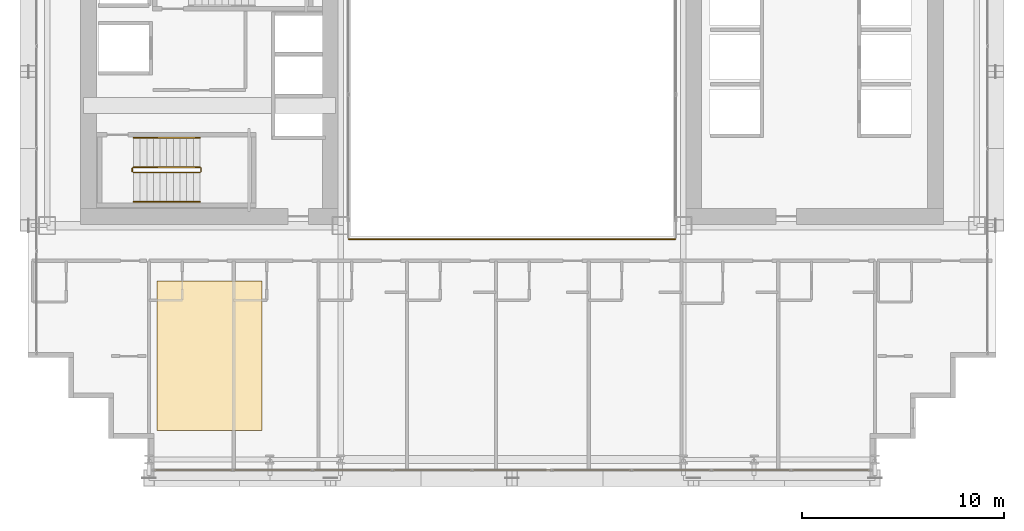
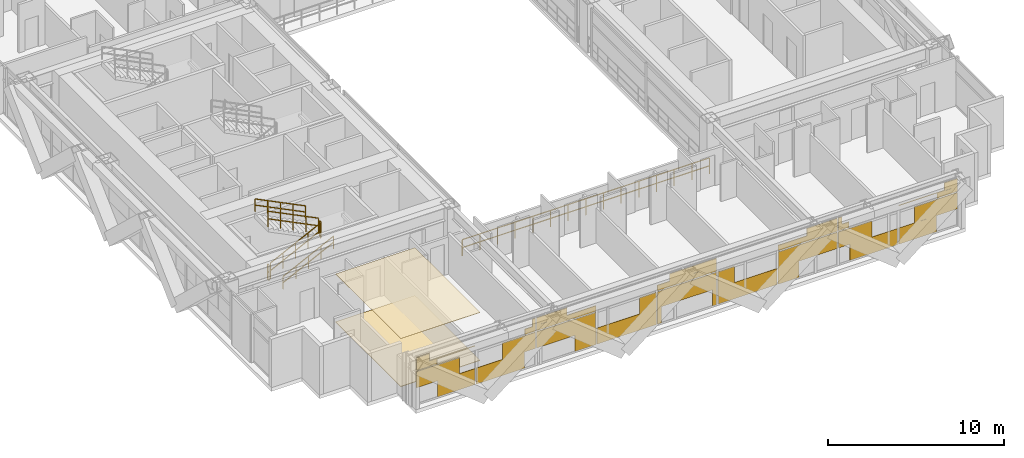
# One storey, part 38 of 41: 7 railings, 3 coverings.
"""IFC4 building model written with IfcOpenShell, lengths in metres."""

from ifc_helpers import new_model, si_unit, direction, frame, origin, origin_2d, place, context, subcontext, project, spatial, polyline, rectangle, outline, extrude, material, layer, layer_set, type_object, element, save


model = new_model("IFC4")

# Units and contexts
model_context = context("Model", 3, precision=1e-05, world=origin(), true_north=direction((0.0, 1.0)))
body_context = subcontext(model_context, "Body", "Model", "MODEL_VIEW")
ifc_project = project(units=[si_unit("LENGTHUNIT", "METRE"), si_unit("AREAUNIT", "SQUARE_METRE"), si_unit("VOLUMEUNIT", "CUBIC_METRE"), si_unit("PLANEANGLEUNIT", "RADIAN"), si_unit("MASSUNIT", "GRAM", prefix="KILO")], contexts=[model_context])

# Site, building, storey
site_placement = place(None, origin())
site = spatial("IfcSite", under=ifc_project, at=site_placement, CompositionType="ELEMENT")
building_placement = place(site_placement, origin())
building = spatial("IfcBuilding", under=site, at=building_placement, Name="Ocotamira Hotel", CompositionType="ELEMENT")
storey_placement = place(building_placement, frame((0.0, 0.0, 38.39990234375)))
storey = spatial("IfcBuildingStorey", under=building, at=storey_placement, Name="L08", CompositionType="ELEMENT", Elevation=38.39990234375)

# Coverings
ifc_material_1 = material(Name="Perforated acoustic gypsum ceiling board", Category="gypsum")
ifc_layer_1 = layer(ifc_material_1, 0.02490234375)
ifc_layer_set_1 = layer_set([ifc_layer_1], Name="Perforated acoustic gypsum ceiling board")
covering_type_1 = type_object("IfcCoveringType", Name="COV-CEIL-25", PredefinedType="CEILING", material=ifc_layer_set_1)
covering_1_placement = place(storey_placement, frame((0.0, 0.0, 3.3251953125)))
element("IfcCovering", 1, at=covering_1_placement, inside=storey, type_object=covering_type_1, Name="L08 Acoustic Ceiling", PredefinedType="CEILING", context=body_context, shape_type="SweptSolid", body=[
    extrude(outline(polyline([(14.39990234375, 4.39990234375), (19.60009765625, 4.39990234375), (19.60009765625, 11.800048828125), (14.39990234375, 11.800048828125), (14.39990234375, 4.39990234375)])), origin(), (0.0, 0.0, 1.0), 0.02490234375),
])
ifc_material_2 = material(Name="Honed desert travertine stone flooring", Category="masonry")
ifc_layer_2 = layer(ifc_material_2, 0.030029296875)
ifc_layer_set_2 = layer_set([ifc_layer_2], Name="Honed desert travertine stone flooring")
covering_type_2 = type_object("IfcCoveringType", Name="COV-FLOR-30", PredefinedType="FLOORING", material=ifc_layer_set_2)
covering_2_placement = place(storey_placement, origin())
element("IfcCovering", 2, at=covering_2_placement, inside=storey, type_object=covering_type_2, Name="L08 Honed Stone Floor Finish", PredefinedType="FLOORING", context=body_context, shape_type="SweptSolid", body=[
    extrude(outline(polyline([(14.39990234375, 4.39990234375), (19.60009765625, 4.39990234375), (19.60009765625, 11.800048828125), (14.39990234375, 11.800048828125), (14.39990234375, 4.39990234375)])), origin(), (0.0, 0.0, 1.0), 0.030029296875),
])
ifc_material_3 = material(Name="Insulated pale-metal aluminium spandrel panel", Category="aluminium")
ifc_layer_3 = layer(ifc_material_3, 0.044921875)
ifc_layer_set_3 = layer_set([ifc_layer_3], Name="Insulated pale-metal aluminium spandrel panel")
covering_type_3 = type_object("IfcCoveringType", Name="COV-INFILL-45", PredefinedType="CLADDING", material=ifc_layer_set_3)
covering_3_placement = place(storey_placement, origin())
element("IfcCovering", 3, at=covering_3_placement, inside=storey, type_object=covering_type_3, Name="L08 Curtain Wall Infill CW-2 CW-L08-S1", PredefinedType="CLADDING", context=body_context, shape_type="SweptSolid", body=[
    extrude(rectangle(XDim=2.822265625, YDim=0.044921875, at=origin_2d()), frame((15.691650390625, 2.419921875, 1.1943359375), z_axis=(0.0, 0.0, 1.0), x_axis=(1.0, 0.0, 0.0)), (0.0, 0.0, 1.0), 1.11767578125),
    extrude(rectangle(XDim=2.4521484375, YDim=0.044921875, at=origin_2d()), frame((16.888916015625, 2.419921875, 0.07568359375), z_axis=(0.0, 0.0, 1.0), x_axis=(1.0, 0.0, 0.0)), (0.0, 0.0, 1.0), 1.11767578125),
    extrude(rectangle(XDim=1.330078125, YDim=0.044921875, at=origin_2d()), frame((14.945556640625, 2.419921875, 2.38818359375), z_axis=(0.0, 0.0, 1.0), x_axis=(1.0, 0.0, 0.0)), (0.0, 0.0, 1.0), 0.344482421875),
    extrude(rectangle(XDim=3.834716796875, YDim=0.044921875, at=origin_2d()), frame((16.19775390625, 2.419921875, 2.733642578125), z_axis=(0.0, 0.0, 1.0), x_axis=(1.0, 0.0, 0.0)), (0.0, 0.0, 1.0), 0.0302734375),
    extrude(rectangle(XDim=0.859130859375, YDim=0.044921875, at=origin_2d()), frame((14.7099609375, 2.419921875, 2.764892578125), z_axis=(0.0, 0.0, 1.0), x_axis=(1.0, 0.0, 0.0)), (0.0, 0.0, 1.0), 0.509765625),
    extrude(rectangle(XDim=3.14111328125, YDim=0.044921875, at=origin_2d()), frame((19.7666015625, 2.419921875, 0.07568359375), z_axis=(0.0, 0.0, 1.0), x_axis=(1.0, 0.0, 0.0)), (0.0, 0.0, 1.0), 1.11767578125),
    extrude(rectangle(XDim=2.17333984375, YDim=0.044921875, at=origin_2d()), frame((20.98388671875, 2.419921875, 1.1943359375), z_axis=(0.0, 0.0, 1.0), x_axis=(1.0, 0.0, 0.0)), (0.0, 0.0, 1.0), 1.11767578125),
    extrude(rectangle(XDim=0.68115234375, YDim=0.044921875, at=origin_2d()), frame((21.72998046875, 2.419921875, 2.38818359375), z_axis=(0.0, 0.0, 1.0), x_axis=(1.0, 0.0, 0.0)), (0.0, 0.0, 1.0), 0.375732421875),
    extrude(rectangle(XDim=0.210205078125, YDim=0.044921875, at=origin_2d()), frame((21.965576171875, 2.419921875, 2.764892578125), z_axis=(0.0, 0.0, 1.0), x_axis=(1.0, 0.0, 0.0)), (0.0, 0.0, 1.0), 0.509765625),
    extrude(rectangle(XDim=3.87451171875, YDim=0.044921875, at=origin_2d()), frame((24.0888671875, 2.419921875, 1.1943359375), z_axis=(0.0, 0.0, 1.0), x_axis=(1.0, 0.0, 0.0)), (0.0, 0.0, 1.0), 1.11767578125),
    extrude(rectangle(XDim=1.36328125, YDim=0.044921875, at=origin_2d()), frame((25.344482421875, 2.419921875, 0.07568359375), z_axis=(0.0, 0.0, 1.0), x_axis=(1.0, 0.0, 0.0)), (0.0, 0.0, 1.0), 1.11767578125),
    extrude(rectangle(XDim=3.87451171875, YDim=0.044921875, at=origin_2d()), frame((24.0888671875, 2.419921875, 2.38818359375), z_axis=(0.0, 0.0, 1.0), x_axis=(1.0, 0.0, 0.0)), (0.0, 0.0, 1.0), 0.375732421875),
    extrude(rectangle(XDim=1.988037109375, YDim=0.044921875, at=origin_2d()), frame((23.1455078125, 2.419921875, 2.764892578125), z_axis=(0.0, 0.0, 1.0), x_axis=(1.0, 0.0, 0.0)), (0.0, 0.0, 1.0), 0.509765625),
    extrude(rectangle(XDim=3.87451171875, YDim=0.044921875, at=origin_2d()), frame((28.04443359375, 2.419921875, 0.07568359375), z_axis=(0.0, 0.0, 1.0), x_axis=(1.0, 0.0, 0.0)), (0.0, 0.0, 1.0), 1.11767578125),
    extrude(rectangle(XDim=1.08447265625, YDim=0.044921875, at=origin_2d()), frame((29.439453125, 2.419921875, 1.1943359375), z_axis=(0.0, 0.0, 1.0), x_axis=(1.0, 0.0, 0.0)), (0.0, 0.0, 1.0), 1.11767578125),
    extrude(rectangle(XDim=0.2744140625, YDim=0.044921875, at=origin_2d()), frame((30.199951171875, 2.419921875, 0.07568359375), z_axis=(0.0, 0.0, 1.0), x_axis=(1.0, 0.0, 0.0)), (0.0, 0.0, 1.0), 1.11767578125),
    extrude(rectangle(XDim=3.87451171875, YDim=0.044921875, at=origin_2d()), frame((32.0, 2.419921875, 1.1943359375), z_axis=(0.0, 0.0, 1.0), x_axis=(1.0, 0.0, 0.0)), (0.0, 0.0, 1.0), 1.11767578125),
    extrude(rectangle(XDim=0.2744140625, YDim=0.044921875, at=origin_2d()), frame((33.800048828125, 2.419921875, 0.07568359375), z_axis=(0.0, 0.0, 1.0), x_axis=(1.0, 0.0, 0.0)), (0.0, 0.0, 1.0), 1.11767578125),
    extrude(rectangle(XDim=3.87451171875, YDim=0.044921875, at=origin_2d()), frame((32.0, 2.419921875, 2.38818359375), z_axis=(0.0, 0.0, 1.0), x_axis=(1.0, 0.0, 0.0)), (0.0, 0.0, 1.0), 0.375732421875),
    extrude(rectangle(XDim=3.076904296875, YDim=0.044921875, at=origin_2d()), frame((32.39892578125, 2.419921875, 2.764892578125), z_axis=(0.0, 0.0, 1.0), x_axis=(1.0, 0.0, 0.0)), (0.0, 0.0, 1.0), 0.509765625),
    extrude(rectangle(XDim=3.87451171875, YDim=0.044921875, at=origin_2d()), frame((35.95556640625, 2.419921875, 0.07568359375), z_axis=(0.0, 0.0, 1.0), x_axis=(1.0, 0.0, 0.0)), (0.0, 0.0, 1.0), 1.11767578125),
    extrude(rectangle(XDim=1.08447265625, YDim=0.044921875, at=origin_2d()), frame((34.560546875, 2.419921875, 1.1943359375), z_axis=(0.0, 0.0, 1.0), x_axis=(1.0, 0.0, 0.0)), (0.0, 0.0, 1.0), 1.11767578125),
    extrude(rectangle(XDim=1.36328125, YDim=0.044921875, at=origin_2d()), frame((38.655517578125, 2.419921875, 0.07568359375), z_axis=(0.0, 0.0, 1.0), x_axis=(1.0, 0.0, 0.0)), (0.0, 0.0, 1.0), 1.11767578125),
    extrude(rectangle(XDim=3.87451171875, YDim=0.044921875, at=origin_2d()), frame((39.9111328125, 2.419921875, 1.1943359375), z_axis=(0.0, 0.0, 1.0), x_axis=(1.0, 0.0, 0.0)), (0.0, 0.0, 1.0), 1.11767578125),
    extrude(rectangle(XDim=3.87451171875, YDim=0.044921875, at=origin_2d()), frame((39.9111328125, 2.419921875, 2.38818359375), z_axis=(0.0, 0.0, 1.0), x_axis=(1.0, 0.0, 0.0)), (0.0, 0.0, 1.0), 0.375732421875),
    extrude(rectangle(XDim=1.988037109375, YDim=0.044921875, at=origin_2d()), frame((40.8544921875, 2.419921875, 2.764892578125), z_axis=(0.0, 0.0, 1.0), x_axis=(1.0, 0.0, 0.0)), (0.0, 0.0, 1.0), 0.509765625),
    extrude(rectangle(XDim=2.17333984375, YDim=0.044921875, at=origin_2d()), frame((43.01611328125, 2.419921875, 1.1943359375), z_axis=(0.0, 0.0, 1.0), x_axis=(1.0, 0.0, 0.0)), (0.0, 0.0, 1.0), 1.11767578125),
    extrude(rectangle(XDim=3.14111328125, YDim=0.044921875, at=origin_2d()), frame((44.2333984375, 2.419921875, 0.07568359375), z_axis=(0.0, 0.0, 1.0), x_axis=(1.0, 0.0, 0.0)), (0.0, 0.0, 1.0), 1.11767578125),
    extrude(rectangle(XDim=0.68115234375, YDim=0.044921875, at=origin_2d()), frame((42.27001953125, 2.419921875, 2.38818359375), z_axis=(0.0, 0.0, 1.0), x_axis=(1.0, 0.0, 0.0)), (0.0, 0.0, 1.0), 0.375732421875),
    extrude(rectangle(XDim=0.210205078125, YDim=0.044921875, at=origin_2d()), frame((42.034423828125, 2.419921875, 2.764892578125), z_axis=(0.0, 0.0, 1.0), x_axis=(1.0, 0.0, 0.0)), (0.0, 0.0, 1.0), 0.509765625),
    extrude(rectangle(XDim=2.4521484375, YDim=0.044921875, at=origin_2d()), frame((47.111083984375, 2.419921875, 0.07568359375), z_axis=(0.0, 0.0, 1.0), x_axis=(1.0, 0.0, 0.0)), (0.0, 0.0, 1.0), 1.11767578125),
    extrude(rectangle(XDim=2.822265625, YDim=0.044921875, at=origin_2d()), frame((48.308349609375, 2.419921875, 1.1943359375), z_axis=(0.0, 0.0, 1.0), x_axis=(1.0, 0.0, 0.0)), (0.0, 0.0, 1.0), 1.11767578125),
    extrude(rectangle(XDim=3.834716796875, YDim=0.044921875, at=origin_2d()), frame((47.80224609375, 2.419921875, 2.733642578125), z_axis=(0.0, 0.0, 1.0), x_axis=(1.0, 0.0, 0.0)), (0.0, 0.0, 1.0), 0.0302734375),
    extrude(rectangle(XDim=1.330078125, YDim=0.044921875, at=origin_2d()), frame((49.054443359375, 2.419921875, 2.38818359375), z_axis=(0.0, 0.0, 1.0), x_axis=(1.0, 0.0, 0.0)), (0.0, 0.0, 1.0), 0.344482421875),
    extrude(rectangle(XDim=0.859130859375, YDim=0.044921875, at=origin_2d()), frame((49.2900390625, 2.419921875, 2.764892578125), z_axis=(0.0, 0.0, 1.0), x_axis=(1.0, 0.0, 0.0)), (0.0, 0.0, 1.0), 0.509765625),
])

# Railings
ifc_material_4 = material(Name="Painted steel stair guardrail", Category="steel")
railing_type_1 = type_object("IfcRailingType", Name="RL-EDGE-1150", PredefinedType="GUARDRAIL", material=ifc_material_4)
railing_1_placement = place(storey_placement, frame((23.89990234375, 13.8798828125, 0.0)))
element("IfcRailing", 4, at=railing_1_placement, inside=storey, type_object=railing_type_1, Name="L08 Central Atrium Edge Guardrail S", PredefinedType="GUARDRAIL", context=body_context, shape_type="SweptSolid", body=[
    extrude(rectangle(XDim=0.048095703125, YDim=0.048095703125, at=origin_2d()), frame((0.0, 0.0, 1.1259765625), z_axis=(1.0, 0.0, 0.0), x_axis=(0.0, 1.0, 0.0)), (0.0, 0.0, 1.0), 16.2001953125),
    extrude(rectangle(XDim=0.048095703125, YDim=0.048095703125, at=origin_2d()), frame((0.0, 0.0, 0.574951171875), z_axis=(1.0, 0.0, 0.0), x_axis=(0.0, 1.0, 0.0)), (0.0, 0.0, 1.0), 16.2001953125),
    extrude(rectangle(XDim=0.0419921875, YDim=0.0419921875, at=origin_2d()), origin(), (0.0, 0.0, 1.0), 1.101806640625),
    extrude(rectangle(XDim=0.0419921875, YDim=0.0419921875, at=origin_2d()), frame((1.1572265625, 0.0, 0.0)), (0.0, 0.0, 1.0), 1.101806640625),
    extrude(rectangle(XDim=0.0419921875, YDim=0.0419921875, at=origin_2d()), frame((2.314208984375, 0.0, 0.0)), (0.0, 0.0, 1.0), 1.101806640625),
    extrude(rectangle(XDim=0.0419921875, YDim=0.0419921875, at=origin_2d()), frame((3.471435546875, 0.0, 0.0)), (0.0, 0.0, 1.0), 1.101806640625),
    extrude(rectangle(XDim=0.0419921875, YDim=0.0419921875, at=origin_2d()), frame((4.628662109375, 0.0, 0.0)), (0.0, 0.0, 1.0), 1.101806640625),
    extrude(rectangle(XDim=0.0419921875, YDim=0.0419921875, at=origin_2d()), frame((5.785888671875, 0.0, 0.0)), (0.0, 0.0, 1.0), 1.101806640625),
    extrude(rectangle(XDim=0.0419921875, YDim=0.0419921875, at=origin_2d()), frame((6.94287109375, 0.0, 0.0)), (0.0, 0.0, 1.0), 1.101806640625),
    extrude(rectangle(XDim=0.0419921875, YDim=0.0419921875, at=origin_2d()), frame((8.10009765625, 0.0, 0.0)), (0.0, 0.0, 1.0), 1.101806640625),
    extrude(rectangle(XDim=0.0419921875, YDim=0.0419921875, at=origin_2d()), frame((9.25732421875, 0.0, 0.0)), (0.0, 0.0, 1.0), 1.101806640625),
    extrude(rectangle(XDim=0.0419921875, YDim=0.0419921875, at=origin_2d()), frame((10.414306640625, 0.0, 0.0)), (0.0, 0.0, 1.0), 1.101806640625),
    extrude(rectangle(XDim=0.0419921875, YDim=0.0419921875, at=origin_2d()), frame((11.571533203125, 0.0, 0.0)), (0.0, 0.0, 1.0), 1.101806640625),
    extrude(rectangle(XDim=0.0419921875, YDim=0.0419921875, at=origin_2d()), frame((12.728759765625, 0.0, 0.0)), (0.0, 0.0, 1.0), 1.101806640625),
    extrude(rectangle(XDim=0.0419921875, YDim=0.0419921875, at=origin_2d()), frame((13.885986328125, 0.0, 0.0)), (0.0, 0.0, 1.0), 1.101806640625),
    extrude(rectangle(XDim=0.0419921875, YDim=0.0419921875, at=origin_2d()), frame((15.04296875, 0.0, 0.0)), (0.0, 0.0, 1.0), 1.101806640625),
    extrude(rectangle(XDim=0.0419921875, YDim=0.0419921875, at=origin_2d()), frame((16.2001953125, 0.0, 0.0)), (0.0, 0.0, 1.0), 1.101806640625),
])
ifc_material_5 = material(Name="Brushed stainless steel handrail", Category="steel")
railing_type_2 = type_object("IfcRailingType", Name="RL-HAND-900", PredefinedType="HANDRAIL", material=ifc_material_5)
railing_2_placement = place(storey_placement, frame((13.22998046875, 15.719970703125, 0.327392578125)))
element("IfcRailing", 5, at=railing_2_placement, inside=storey, type_object=railing_type_2, Name="L08 ST-1 stair handrail 1", PredefinedType="HANDRAIL", context=body_context, shape_type="SweptSolid", body=[
    extrude(rectangle(XDim=0.048095703125, YDim=0.048095703125, at=origin_2d()), frame((0.0, 0.0, 0.8759765625), z_axis=(0.895920123917, 0.0, 0.444215186098), x_axis=(0.0, 1.0, 0.0)), (0.0, 0.0, 1.0), 3.683349609375),
    extrude(rectangle(XDim=0.048095703125, YDim=0.048095703125, at=origin_2d()), frame((0.0, 0.0, 0.449951171875), z_axis=(0.895920123917, 0.0, 0.444215186098), x_axis=(0.0, 1.0, 0.0)), (0.0, 0.0, 1.0), 3.683349609375),
    extrude(rectangle(XDim=0.0419921875, YDim=0.0419921875, at=origin_2d()), origin(), (0.0, 0.0, 1.0), 0.851806640625),
    extrude(rectangle(XDim=0.0419921875, YDim=0.0419921875, at=origin_2d()), frame((0.824951171875, 0.0, 0.4091796875)), (0.0, 0.0, 1.0), 0.851806640625),
    extrude(rectangle(XDim=0.0419921875, YDim=0.0419921875, at=origin_2d()), frame((1.64990234375, 0.0, 0.818115234375)), (0.0, 0.0, 1.0), 0.851806640625),
    extrude(rectangle(XDim=0.0419921875, YDim=0.0419921875, at=origin_2d()), frame((2.47509765625, 0.0, 1.22705078125)), (0.0, 0.0, 1.0), 0.851806640625),
    extrude(rectangle(XDim=0.0419921875, YDim=0.0419921875, at=origin_2d()), frame((3.300048828125, 0.0, 1.63623046875)), (0.0, 0.0, 1.0), 0.851806640625),
])
railing_3_placement = place(storey_placement, frame((16.530029296875, 18.89990234375, 2.12744140625)))
element("IfcRailing", 6, at=railing_3_placement, inside=storey, type_object=railing_type_2, Name="L08 ST-1 stair handrail 2", PredefinedType="HANDRAIL", context=body_context, shape_type="SweptSolid", body=[
    extrude(rectangle(XDim=0.048095703125, YDim=0.048095703125, at=origin_2d()), frame((0.0, 0.0, 0.8759765625), z_axis=(-0.895920123917, 0.0, 0.444215186098), x_axis=(0.0, -1.0, 0.0)), (0.0, 0.0, 1.0), 3.683349609375),
    extrude(rectangle(XDim=0.048095703125, YDim=0.048095703125, at=origin_2d()), frame((0.0, 0.0, 0.449951171875), z_axis=(-0.895920123917, 0.0, 0.444215186098), x_axis=(0.0, -1.0, 0.0)), (0.0, 0.0, 1.0), 3.683349609375),
    extrude(rectangle(XDim=0.0419921875, YDim=0.0419921875, at=origin_2d()), origin(), (0.0, 0.0, 1.0), 0.851806640625),
    extrude(rectangle(XDim=0.0419921875, YDim=0.0419921875, at=origin_2d()), frame((-0.824951171875, 0.0, 0.4091796875)), (0.0, 0.0, 1.0), 0.851806640625),
    extrude(rectangle(XDim=0.0419921875, YDim=0.0419921875, at=origin_2d()), frame((-1.64990234375, 0.0, 0.818115234375)), (0.0, 0.0, 1.0), 0.851806640625),
    extrude(rectangle(XDim=0.0419921875, YDim=0.0419921875, at=origin_2d()), frame((-2.47509765625, 0.0, 1.22705078125)), (0.0, 0.0, 1.0), 0.851806640625),
    extrude(rectangle(XDim=0.0419921875, YDim=0.0419921875, at=origin_2d()), frame((-3.300048828125, 0.0, 1.63623046875)), (0.0, 0.0, 1.0), 0.851806640625),
])
railing_type_3 = type_object("IfcRailingType", Name="RL-STAIR-1100", PredefinedType="GUARDRAIL", material=ifc_material_4)
railing_4_placement = place(storey_placement, frame((13.22998046875, 17.179931640625, 0.163818359375)))
element("IfcRailing", 7, at=railing_4_placement, inside=storey, type_object=railing_type_3, Name="L08 ST-1 stair guard 1", PredefinedType="GUARDRAIL", context=body_context, shape_type="SweptSolid", body=[
    extrude(rectangle(XDim=0.048095703125, YDim=0.048095703125, at=origin_2d()), frame((0.0, 0.0, 1.076171875), z_axis=(0.895920123917, 0.0, 0.444215186098), x_axis=(0.0, 1.0, 0.0)), (0.0, 0.0, 1.0), 3.683349609375),
    extrude(rectangle(XDim=0.048095703125, YDim=0.048095703125, at=origin_2d()), frame((0.0, 0.0, 0.550048828125), z_axis=(0.895920123917, 0.0, 0.444215186098), x_axis=(0.0, 1.0, 0.0)), (0.0, 0.0, 1.0), 3.683349609375),
    extrude(rectangle(XDim=0.0419921875, YDim=0.0419921875, at=origin_2d()), origin(), (0.0, 0.0, 1.0), 1.052001953125),
    extrude(rectangle(XDim=0.0419921875, YDim=0.0419921875, at=origin_2d()), frame((0.824951171875, 0.0, 0.4091796875)), (0.0, 0.0, 1.0), 1.052001953125),
    extrude(rectangle(XDim=0.0419921875, YDim=0.0419921875, at=origin_2d()), frame((1.64990234375, 0.0, 0.818115234375)), (0.0, 0.0, 1.0), 1.052001953125),
    extrude(rectangle(XDim=0.0419921875, YDim=0.0419921875, at=origin_2d()), frame((2.47509765625, 0.0, 1.22705078125)), (0.0, 0.0, 1.0), 1.052001953125),
    extrude(rectangle(XDim=0.0419921875, YDim=0.0419921875, at=origin_2d()), frame((3.300048828125, 0.0, 1.63623046875)), (0.0, 0.0, 1.0), 1.052001953125),
])
railing_5_placement = place(storey_placement, frame((16.580078125, 17.22998046875, 1.800048828125)))
element("IfcRailing", 8, at=railing_5_placement, inside=storey, type_object=railing_type_3, Name="L08 ST-1 stair guard 2", PredefinedType="GUARDRAIL", context=body_context, shape_type="SweptSolid", body=[
    extrude(rectangle(XDim=0.048095703125, YDim=0.048095703125, at=origin_2d()), frame((0.0, 0.0, 1.076171875), z_axis=(0.0, 1.0, 0.0), x_axis=(-1.0, 0.0, 0.0)), (0.0, 0.0, 1.0), 0.159912109375),
    extrude(rectangle(XDim=0.048095703125, YDim=0.048095703125, at=origin_2d()), frame((0.0, 0.0, 0.550048828125), z_axis=(0.0, 1.0, 0.0), x_axis=(-1.0, 0.0, 0.0)), (0.0, 0.0, 1.0), 0.159912109375),
    extrude(rectangle(XDim=0.0419921875, YDim=0.0419921875, at=origin_2d()), origin(), (0.0, 0.0, 1.0), 1.052001953125),
    extrude(rectangle(XDim=0.0419921875, YDim=0.0419921875, at=origin_2d()), frame((0.0, 0.159912109375, 0.0)), (0.0, 0.0, 1.0), 1.052001953125),
])
railing_6_placement = place(storey_placement, frame((16.530029296875, 17.43994140625, 1.963623046875)))
element("IfcRailing", 9, at=railing_6_placement, inside=storey, type_object=railing_type_3, Name="L08 ST-1 stair guard 3", PredefinedType="GUARDRAIL", context=body_context, shape_type="SweptSolid", body=[
    extrude(rectangle(XDim=0.048095703125, YDim=0.048095703125, at=origin_2d()), frame((0.0, 0.0, 1.076171875), z_axis=(-0.895893744519, 0.0, 0.4442683857), x_axis=(0.0, -1.0, 0.0)), (0.0, 0.0, 1.0), 3.68359375),
    extrude(rectangle(XDim=0.048095703125, YDim=0.048095703125, at=origin_2d()), frame((0.0, 0.0, 0.550048828125), z_axis=(-0.895893744519, 0.0, 0.4442683857), x_axis=(0.0, -1.0, 0.0)), (0.0, 0.0, 1.0), 3.68359375),
    extrude(rectangle(XDim=0.0419921875, YDim=0.0419921875, at=origin_2d()), origin(), (0.0, 0.0, 1.0), 1.052001953125),
    extrude(rectangle(XDim=0.0419921875, YDim=0.0419921875, at=origin_2d()), frame((-0.824951171875, 0.0, 0.4091796875)), (0.0, 0.0, 1.0), 1.052001953125),
    extrude(rectangle(XDim=0.0419921875, YDim=0.0419921875, at=origin_2d()), frame((-1.64990234375, 0.0, 0.818359375)), (0.0, 0.0, 1.0), 1.052001953125),
    extrude(rectangle(XDim=0.0419921875, YDim=0.0419921875, at=origin_2d()), frame((-2.47509765625, 0.0, 1.227294921875)), (0.0, 0.0, 1.0), 1.052001953125),
    extrude(rectangle(XDim=0.0419921875, YDim=0.0419921875, at=origin_2d()), frame((-3.300048828125, 0.0, 1.636474609375)), (0.0, 0.0, 1.0), 1.052001953125),
])
railing_7_placement = place(storey_placement, frame((13.179931640625, 17.22998046875, 0.0)))
element("IfcRailing", 10, at=railing_7_placement, inside=storey, type_object=railing_type_3, Name="L08 ST-1 stair guard 4", PredefinedType="GUARDRAIL", context=body_context, shape_type="SweptSolid", body=[
    extrude(rectangle(XDim=0.048095703125, YDim=0.048095703125, at=origin_2d()), frame((0.0, 0.0, 1.076171875), z_axis=(0.0, 1.0, 0.0), x_axis=(-1.0, 0.0, 0.0)), (0.0, 0.0, 1.0), 0.159912109375),
    extrude(rectangle(XDim=0.048095703125, YDim=0.048095703125, at=origin_2d()), frame((0.0, 0.0, 0.550048828125), z_axis=(0.0, 1.0, 0.0), x_axis=(-1.0, 0.0, 0.0)), (0.0, 0.0, 1.0), 0.159912109375),
    extrude(rectangle(XDim=0.0419921875, YDim=0.0419921875, at=origin_2d()), origin(), (0.0, 0.0, 1.0), 1.052001953125),
    extrude(rectangle(XDim=0.0419921875, YDim=0.0419921875, at=origin_2d()), frame((0.0, 0.159912109375, 0.0)), (0.0, 0.0, 1.0), 1.052001953125),
])

save(model, "model.ifc")
